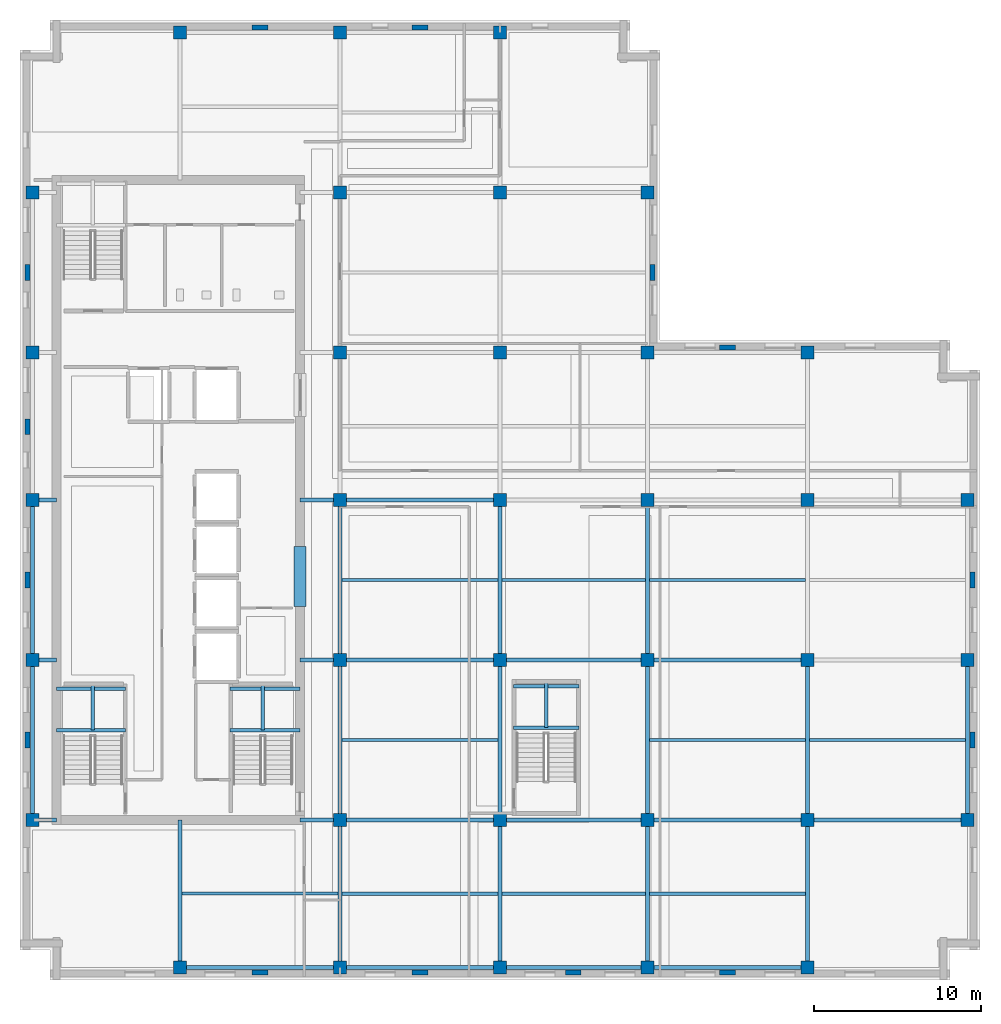
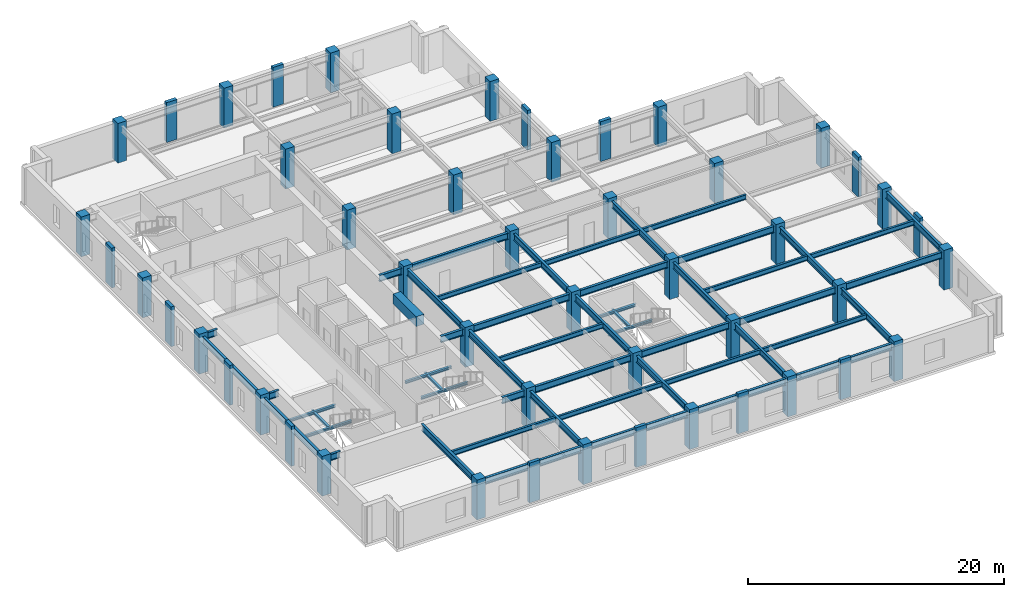
# One storey, part 1 of 11: 53 beams, 49 columns.
"""IFC4 building model written with IfcOpenShell, lengths in metres."""

from ifc_helpers import new_model, si_unit, direction, frame, origin, origin_2d, place, context, subcontext, project, spatial, rectangle, i_section, extrude, material, material_profile, profile_set, type_object, element, save


model = new_model("IFC4")

# Units and contexts
model_context = context("Model", 3, precision=1e-05, world=origin(), true_north=direction((0.0, 1.0)))
body_context = subcontext(model_context, "Body", "Model", "MODEL_VIEW")
ifc_project = project(units=[si_unit("LENGTHUNIT", "METRE"), si_unit("AREAUNIT", "SQUARE_METRE"), si_unit("VOLUMEUNIT", "CUBIC_METRE"), si_unit("PLANEANGLEUNIT", "RADIAN"), si_unit("MASSUNIT", "GRAM", prefix="KILO")], contexts=[model_context])

# Site, building, storey
site_placement = place(None, origin())
site = spatial("IfcSite", under=ifc_project, at=site_placement, CompositionType="ELEMENT")
building_placement = place(site_placement, origin())
building = spatial("IfcBuilding", under=site, at=building_placement, Name="Norrvale University Quadrangle", CompositionType="ELEMENT")
storey_placement = place(building_placement, frame((0.0, 0.0, 252.199951171875)))
storey = spatial("IfcBuildingStorey", under=building, at=storey_placement, Name="L64", CompositionType="ELEMENT", Elevation=252.199951171875)

# Columns
ifc_material_1 = material(Name="Red Manganese Brick Concrete C60/75", Category="concrete")
ifc_material_profile_1 = material_profile(ifc_material_1, rectangle(XDim=0.949951171875, YDim=0.300048828125, at=origin_2d()), Name="Red Manganese Brick Concrete C60/75")
ifc_profile_set_1 = profile_set([ifc_material_profile_1], Name="Red Manganese Brick Concrete C60/75")
column_type_1 = type_object("IfcColumnType", Name="Column Brick Pier 950x300", PredefinedType="PILASTER", material=ifc_profile_set_1)
for number, where, z_axis, x_axis, name in (
    (1, (0.449951171875, 14.39990234375, 0.0), (0.0, 0.0, 1.0), (0.0, 1.0, 0.0), "Exterior Brick Facade Pilaster L64-01"),
    (2, (0.449951171875, 24.0, 0.0), (0.0, 0.0, 1.0), (0.0, 1.0, 0.0), "Exterior Brick Facade Pilaster L64-02"),
    (3, (0.449951171875, 33.199951171875, 0.0), (0.0, 0.0, 1.0), (0.0, 1.0, 0.0), "Exterior Brick Facade Pilaster L64-03"),
    (4, (0.449951171875, 42.449951171875, 0.0), (0.0, 0.0, 1.0), (0.0, 1.0, 0.0), "Exterior Brick Facade Pilaster L64-04"),
    (5, (14.39990234375, 0.449951171875, 0.0), (0.0, 0.0, 1.0), (1.0, 0.0, 0.0), "Exterior Brick Facade Pilaster L64-05"),
    (6, (24.0, 0.449951171875, 0.0), (0.0, 0.0, 1.0), (1.0, 0.0, 0.0), "Exterior Brick Facade Pilaster L64-06"),
    (7, (33.199951171875, 0.449951171875, 0.0), (0.0, 0.0, 1.0), (1.0, 0.0, 0.0), "Exterior Brick Facade Pilaster L64-07"),
    (8, (42.449951171875, 0.449951171875, 0.0), (0.0, 0.0, 1.0), (1.0, 0.0, 0.0), "Exterior Brick Facade Pilaster L64-08"),
    (9, (57.14990234375, 14.39990234375, 0.0), (0.0, 0.0, 1.0), (0.0, 1.0, 0.0), "Exterior Brick Facade Pilaster L64-09"),
    (10, (57.14990234375, 24.0, 0.0), (0.0, 0.0, 1.0), (0.0, 1.0, 0.0), "Exterior Brick Facade Pilaster L64-10"),
    (11, (14.39990234375, 57.14990234375, 0.0), (0.0, 0.0, 1.0), (1.0, 0.0, 0.0), "Exterior Brick Facade Pilaster L64-11"),
    (12, (24.0, 57.14990234375, 0.0), (0.0, 0.0, 1.0), (1.0, 0.0, 0.0), "Exterior Brick Facade Pilaster L64-12"),
    (13, (37.949951171875, 42.449951171875, 0.0), (0.0, 0.0, 1.0), (0.0, 1.0, 0.0), "Exterior Brick Facade Pilaster L64-13"),
    (14, (42.449951171875, 37.949951171875, 0.0), (0.0, 0.0, 1.0), (1.0, 0.0, 0.0), "Exterior Brick Facade Pilaster L64-14"),
):
    element("IfcColumn", number, at=place(storey_placement, frame(where, z_axis=z_axis, x_axis=x_axis)), inside=storey, type_object=column_type_1, Name=name, PredefinedType="PILASTER", context=body_context, shape_type="SweptSolid", body=[
        extrude(rectangle(XDim=0.949951171875, YDim=0.300048828125, at=origin_2d()), origin(), (0.0, 0.0, 1.0), 3.800048828125),
    ])
ifc_material_2 = material(Name="Concrete C60/75", Category="concrete")
ifc_material_profile_2 = material_profile(ifc_material_2, rectangle(XDim=0.800048828125, YDim=0.800048828125, at=origin_2d()), Name="Concrete C60/75")
ifc_profile_set_2 = profile_set([ifc_material_profile_2], Name="Concrete C60/75")
column_type_2 = type_object("IfcColumnType", Name="Column Tower Z3 800x800", PredefinedType="COLUMN", material=ifc_profile_set_2)
for number, where, z_axis, x_axis, name in (
    (15, (0.75, 9.60009765625, 0.0), (0.0, 0.0, 1.0), (1.0, 0.0, 0.0), "Tower Column L64-T01"),
    (16, (0.75, 19.199951171875, 0.0), (0.0, 0.0, 1.0), (1.0, 0.0, 0.0), "Tower Column L64-T02"),
    (17, (0.75, 28.800048828125, 0.0), (0.0, 0.0, 1.0), (1.0, 0.0, 0.0), "Tower Column L64-T03"),
    (18, (0.75, 37.64990234375, 0.0), (0.0, 0.0, 1.0), (1.0, 0.0, 0.0), "Tower Column L64-T04"),
    (19, (0.75, 47.25, 0.0), (0.0, 0.0, 1.0), (1.0, 0.0, 0.0), "Tower Column L64-T05"),
    (20, (9.60009765625, 0.75, 0.0), (0.0, 0.0, 1.0), (1.0, 0.0, 0.0), "Tower Column L64-T06"),
    (21, (9.60009765625, 56.85009765625, 0.0), (0.0, 0.0, 1.0), (1.0, 0.0, 0.0), "Tower Column L64-T07"),
    (22, (19.199951171875, 0.75, 0.0), (0.0, 0.0, 1.0), (1.0, 0.0, 0.0), "Tower Column L64-T08"),
    (23, (19.199951171875, 9.60009765625, 0.0), (0.0, 0.0, 1.0), (1.0, 0.0, 0.0), "Tower Column L64-T09"),
    (24, (19.199951171875, 19.199951171875, 0.0), (0.0, 0.0, 1.0), (1.0, 0.0, 0.0), "Tower Column L64-T10"),
    (25, (19.199951171875, 28.800048828125, 0.0), (0.0, 0.0, 1.0), (1.0, 0.0, 0.0), "Tower Column L64-T11"),
    (26, (19.199951171875, 37.64990234375, 0.0), (0.0, 0.0, 1.0), (1.0, 0.0, 0.0), "Tower Column L64-T12"),
    (27, (19.199951171875, 47.25, 0.0), (0.0, 0.0, 1.0), (1.0, 0.0, 0.0), "Tower Column L64-T13"),
    (28, (19.199951171875, 56.85009765625, 0.0), (0.0, 0.0, 1.0), (1.0, 0.0, 0.0), "Tower Column L64-T14"),
    (29, (28.800048828125, 0.75, 0.0), (0.0, 0.0, 1.0), (1.0, 0.0, 0.0), "Tower Column L64-T15"),
    (30, (28.800048828125, 9.60009765625, 0.0), (0.0, 0.0, 1.0), (1.0, 0.0, 0.0), "Tower Column L64-T16"),
    (31, (28.800048828125, 19.199951171875, 0.0), (0.0, 0.0, 1.0), (1.0, 0.0, 0.0), "Tower Column L64-T17"),
    (32, (28.800048828125, 28.800048828125, 0.0), (0.0, 0.0, 1.0), (1.0, 0.0, 0.0), "Tower Column L64-T18"),
    (33, (28.800048828125, 37.64990234375, 0.0), (0.0, 0.0, 1.0), (1.0, 0.0, 0.0), "Tower Column L64-T19"),
    (34, (28.800048828125, 47.25, 0.0), (0.0, 0.0, 1.0), (1.0, 0.0, 0.0), "Tower Column L64-T20"),
    (35, (28.800048828125, 56.85009765625, 0.0), (0.0, 0.0, 1.0), (1.0, 0.0, 0.0), "Tower Column L64-T21"),
    (36, (37.64990234375, 0.75, 0.0), (0.0, 0.0, 1.0), (1.0, 0.0, 0.0), "Tower Column L64-T22"),
    (37, (37.64990234375, 9.60009765625, 0.0), (0.0, 0.0, 1.0), (1.0, 0.0, 0.0), "Tower Column L64-T23"),
    (38, (37.64990234375, 19.199951171875, 0.0), (0.0, 0.0, 1.0), (1.0, 0.0, 0.0), "Tower Column L64-T24"),
    (39, (37.64990234375, 28.800048828125, 0.0), (0.0, 0.0, 1.0), (1.0, 0.0, 0.0), "Tower Column L64-T25"),
    (40, (37.64990234375, 37.64990234375, 0.0), (0.0, 0.0, 1.0), (1.0, 0.0, 0.0), "Tower Column L64-T26"),
    (41, (37.64990234375, 47.25, 0.0), (0.0, 0.0, 1.0), (1.0, 0.0, 0.0), "Tower Column L64-T27"),
    (42, (47.25, 0.75, 0.0), (0.0, 0.0, 1.0), (1.0, 0.0, 0.0), "Tower Column L64-T28"),
    (43, (47.25, 9.60009765625, 0.0), (0.0, 0.0, 1.0), (1.0, 0.0, 0.0), "Tower Column L64-T29"),
    (44, (47.25, 19.199951171875, 0.0), (0.0, 0.0, 1.0), (1.0, 0.0, 0.0), "Tower Column L64-T30"),
    (45, (47.25, 28.800048828125, 0.0), (0.0, 0.0, 1.0), (1.0, 0.0, 0.0), "Tower Column L64-T31"),
    (46, (47.25, 37.64990234375, 0.0), (0.0, 0.0, 1.0), (1.0, 0.0, 0.0), "Tower Column L64-T32"),
    (47, (56.85009765625, 9.60009765625, 0.0), (0.0, 0.0, 1.0), (1.0, 0.0, 0.0), "Tower Column L64-T33"),
    (48, (56.85009765625, 19.199951171875, 0.0), (0.0, 0.0, 1.0), (1.0, 0.0, 0.0), "Tower Column L64-T34"),
    (49, (56.85009765625, 28.800048828125, 0.0), (0.0, 0.0, 1.0), (1.0, 0.0, 0.0), "Tower Column L64-T35"),
):
    element("IfcColumn", number, at=place(storey_placement, frame(where, z_axis=z_axis, x_axis=x_axis)), inside=storey, type_object=column_type_2, Name=name, PredefinedType="COLUMN", context=body_context, shape_type="SweptSolid", body=[
        extrude(rectangle(XDim=0.800048828125, YDim=0.800048828125, at=origin_2d()), origin(), (0.0, 0.0, 1.0), 3.800048828125),
    ])

# Beams
ifc_material_3 = material(Name="Concrete C80/95", Category="concrete")
ifc_material_profile_3 = material_profile(ifc_material_3, rectangle(XDim=0.699951171875, YDim=0.949951171875, at=origin_2d()), Name="Concrete C80/95")
ifc_profile_set_3 = profile_set([ifc_material_profile_3], Name="Concrete C80/95")
beam_type_1 = type_object("IfcBeamType", Name="Beam Core Link 700x950", PredefinedType="LINTEL", material=ifc_profile_set_3)
beam_1_placement = place(storey_placement, frame((16.800048828125, 22.39990234375, 3.005126953125), z_axis=(0.0, 1.0, 0.0), x_axis=(-1.0, 0.0, 0.0)))
element("IfcBeam", 50, at=beam_1_placement, inside=storey, type_object=beam_type_1, Name="Core Coupling Lintel Beam L64-1", PredefinedType="LINTEL", context=body_context, shape_type="SweptSolid", body=[
    extrude(rectangle(XDim=0.699951171875, YDim=0.949951171875, at=origin_2d()), origin(), (0.0, 0.0, 1.0), 3.60009765625),
])
ifc_material_4 = material(Name="Steel 350W", Category="steel")
ifc_material_profile_4 = material_profile(ifc_material_4, i_section(OverallWidth=0.18994140625, OverallDepth=0.45703125, WebThickness=0.009033203125, FlangeThickness=0.014404296875, FilletRadius=0.012939453125, at=origin_2d()), Name="Steel 350W")
ifc_profile_set_4 = profile_set([ifc_material_profile_4], Name="Steel 350W")
beam_type_2 = type_object("IfcBeamType", Name="Beam Floor W460x74", PredefinedType="JOIST", material=ifc_profile_set_4)
for number, where, z_axis, x_axis, name in (
    (51, (19.31494140625, 5.175048828125, 3.25146484375), (1.0, 0.0, 0.0), (0.0, 1.0, 0.0), "Beam Floor W460x74 BM-L64-J061"),
    (52, (19.31494140625, 14.39990234375, 3.25146484375), (1.0, 0.0, 0.0), (0.0, 1.0, 0.0), "Beam Floor W460x74 BM-L64-J062"),
    (53, (19.31494140625, 24.0, 3.25146484375), (1.0, 0.0, 0.0), (0.0, 1.0, 0.0), "Beam Floor W460x74 BM-L64-J063"),
):
    element("IfcBeam", number, at=place(storey_placement, frame(where, z_axis=z_axis, x_axis=x_axis)), inside=storey, type_object=beam_type_2, Name=name, PredefinedType="JOIST", context=body_context, shape_type="SweptSolid", body=[
        extrude(i_section(OverallWidth=0.18994140625, OverallDepth=0.45703125, WebThickness=0.009033203125, FlangeThickness=0.014404296875, FilletRadius=0.012939453125, at=origin_2d()), origin(), (0.0, 0.0, 1.0), 9.3701171875),
    ])
for number, where, z_axis, x_axis, name in (
    (54, (28.9150390625, 5.175048828125, 3.25146484375), (1.0, 0.0, 0.0), (0.0, 1.0, 0.0), "Beam Floor W460x74 BM-L64-J067"),
    (55, (28.9150390625, 24.0, 3.25146484375), (1.0, 0.0, 0.0), (0.0, 1.0, 0.0), "Beam Floor W460x74 BM-L64-J068"),
):
    element("IfcBeam", number, at=place(storey_placement, frame(where, z_axis=z_axis, x_axis=x_axis)), inside=storey, type_object=beam_type_2, Name=name, PredefinedType="JOIST", context=body_context, shape_type="SweptSolid", body=[
        extrude(i_section(OverallWidth=0.18994140625, OverallDepth=0.45703125, WebThickness=0.009033203125, FlangeThickness=0.014404296875, FilletRadius=0.012939453125, at=origin_2d()), origin(), (0.0, 0.0, 1.0), 8.619873046875),
    ])
for number, where, z_axis, x_axis, name in (
    (56, (37.764892578125, 5.175048828125, 3.25146484375), (1.0, 0.0, 0.0), (0.0, 1.0, 0.0), "Beam Floor W460x74 BM-L64-J071"),
    (57, (37.764892578125, 14.39990234375, 3.25146484375), (1.0, 0.0, 0.0), (0.0, 1.0, 0.0), "Beam Floor W460x74 BM-L64-J072"),
    (58, (37.764892578125, 24.0, 3.25146484375), (1.0, 0.0, 0.0), (0.0, 1.0, 0.0), "Beam Floor W460x74 BM-L64-J073"),
    (59, (47.364990234375, 14.39990234375, 3.25146484375), (1.0, 0.0, 0.0), (0.0, 1.0, 0.0), "Beam Floor W460x74 BM-L64-J075"),
):
    element("IfcBeam", number, at=place(storey_placement, frame(where, z_axis=z_axis, x_axis=x_axis)), inside=storey, type_object=beam_type_2, Name=name, PredefinedType="JOIST", context=body_context, shape_type="SweptSolid", body=[
        extrude(i_section(OverallWidth=0.18994140625, OverallDepth=0.45703125, WebThickness=0.009033203125, FlangeThickness=0.014404296875, FilletRadius=0.012939453125, at=origin_2d()), origin(), (0.0, 0.0, 1.0), 9.3701171875),
    ])
beam_2_placement = place(storey_placement, frame((9.715087890625, 5.199951171875, 3.25146484375), z_axis=(1.0, 0.0, 0.0), x_axis=(0.0, 1.0, 0.0)))
element("IfcBeam", 60, at=beam_2_placement, inside=storey, type_object=beam_type_2, Name="Beam Floor W460x74 BM-L64-JCS078", PredefinedType="JOIST", context=body_context, shape_type="SweptSolid", body=[
    extrude(i_section(OverallWidth=0.18994140625, OverallDepth=0.45703125, WebThickness=0.009033203125, FlangeThickness=0.014404296875, FilletRadius=0.012939453125, at=origin_2d()), origin(), (0.0, 0.0, 1.0), 9.369873046875),
])
ifc_material_profile_5 = material_profile(ifc_material_4, i_section(OverallWidth=0.22998046875, OverallDepth=0.616943359375, WebThickness=0.01318359375, FlangeThickness=0.022216796875, FilletRadius=0.01611328125, at=origin_2d()), Name="Steel 350W")
ifc_profile_set_5 = profile_set([ifc_material_profile_5], Name="Steel 350W")
beam_type_3 = type_object("IfcBeamType", Name="Beam Floor W610x140", PredefinedType="BEAM", material=ifc_profile_set_5)
beam_3_placement = place(storey_placement, frame((9.60009765625, 0.75, 3.171630859375), z_axis=(1.0, 0.0, 0.0), x_axis=(0.0, 1.0, 0.0)))
element("IfcBeam", 61, at=beam_3_placement, inside=storey, type_object=beam_type_3, Name="Beam Floor W610x140 BM-L64-GX001", PredefinedType="BEAM", context=body_context, shape_type="SweptSolid", body=[
    extrude(i_section(OverallWidth=0.22998046875, OverallDepth=0.616943359375, WebThickness=0.01318359375, FlangeThickness=0.022216796875, FilletRadius=0.01611328125, at=origin_2d()), origin(), (0.0, 0.0, 1.0), 9.599853515625),
])
beam_4_placement = place(storey_placement, frame((19.199951171875, 0.75, 3.171630859375), z_axis=(1.0, 0.0, 0.0), x_axis=(0.0, 1.0, 0.0)))
element("IfcBeam", 62, at=beam_4_placement, inside=storey, type_object=beam_type_3, Name="Beam Floor W610x140 BM-L64-GX002", PredefinedType="BEAM", context=body_context, shape_type="SweptSolid", body=[
    extrude(i_section(OverallWidth=0.22998046875, OverallDepth=0.616943359375, WebThickness=0.01318359375, FlangeThickness=0.022216796875, FilletRadius=0.01611328125, at=origin_2d()), origin(), (0.0, 0.0, 1.0), 9.60009765625),
])
beam_5_placement = place(storey_placement, frame((28.800048828125, 0.75, 3.171630859375), z_axis=(1.0, 0.0, 0.0), x_axis=(0.0, 1.0, 0.0)))
element("IfcBeam", 63, at=beam_5_placement, inside=storey, type_object=beam_type_3, Name="Beam Floor W610x140 BM-L64-GX003", PredefinedType="BEAM", context=body_context, shape_type="SweptSolid", body=[
    extrude(i_section(OverallWidth=0.22998046875, OverallDepth=0.616943359375, WebThickness=0.01318359375, FlangeThickness=0.022216796875, FilletRadius=0.01611328125, at=origin_2d()), origin(), (0.0, 0.0, 1.0), 8.849853515625),
])
for number, where, z_axis, x_axis, name in (
    (64, (37.64990234375, 0.75, 3.171630859375), (1.0, 0.0, 0.0), (0.0, 1.0, 0.0), "Beam Floor W610x140 BM-L64-GX004"),
    (65, (19.199951171875, 9.60009765625, 3.171630859375), (1.0, 0.0, 0.0), (0.0, 1.0, 0.0), "Beam Floor W610x140 BM-L64-GX005"),
):
    element("IfcBeam", number, at=place(storey_placement, frame(where, z_axis=z_axis, x_axis=x_axis)), inside=storey, type_object=beam_type_3, Name=name, PredefinedType="BEAM", context=body_context, shape_type="SweptSolid", body=[
        extrude(i_section(OverallWidth=0.22998046875, OverallDepth=0.616943359375, WebThickness=0.01318359375, FlangeThickness=0.022216796875, FilletRadius=0.01611328125, at=origin_2d()), origin(), (0.0, 0.0, 1.0), 9.60009765625),
    ])
beam_6_placement = place(storey_placement, frame((28.800048828125, 9.60009765625, 3.171630859375), z_axis=(1.0, 0.0, 0.0), x_axis=(0.0, 1.0, 0.0)))
element("IfcBeam", 66, at=beam_6_placement, inside=storey, type_object=beam_type_3, Name="Beam Floor W610x140 BM-L64-GX006", PredefinedType="BEAM", context=body_context, shape_type="SweptSolid", body=[
    extrude(i_section(OverallWidth=0.22998046875, OverallDepth=0.616943359375, WebThickness=0.01318359375, FlangeThickness=0.022216796875, FilletRadius=0.01611328125, at=origin_2d()), origin(), (0.0, 0.0, 1.0), 8.849853515625),
])
for number, where, z_axis, x_axis, name in (
    (67, (37.64990234375, 9.60009765625, 3.171630859375), (1.0, 0.0, 0.0), (0.0, 1.0, 0.0), "Beam Floor W610x140 BM-L64-GX007"),
    (68, (47.25, 9.60009765625, 3.171630859375), (1.0, 0.0, 0.0), (0.0, 1.0, 0.0), "Beam Floor W610x140 BM-L64-GX008"),
    (69, (19.199951171875, 19.199951171875, 3.171630859375), (1.0, 0.0, 0.0), (0.0, 1.0, 0.0), "Beam Floor W610x140 BM-L64-GX009"),
):
    element("IfcBeam", number, at=place(storey_placement, frame(where, z_axis=z_axis, x_axis=x_axis)), inside=storey, type_object=beam_type_3, Name=name, PredefinedType="BEAM", context=body_context, shape_type="SweptSolid", body=[
        extrude(i_section(OverallWidth=0.22998046875, OverallDepth=0.616943359375, WebThickness=0.01318359375, FlangeThickness=0.022216796875, FilletRadius=0.01611328125, at=origin_2d()), origin(), (0.0, 0.0, 1.0), 9.60009765625),
    ])
beam_7_placement = place(storey_placement, frame((28.800048828125, 19.199951171875, 3.171630859375), z_axis=(1.0, 0.0, 0.0), x_axis=(0.0, 1.0, 0.0)))
element("IfcBeam", 70, at=beam_7_placement, inside=storey, type_object=beam_type_3, Name="Beam Floor W610x140 BM-L64-GX010", PredefinedType="BEAM", context=body_context, shape_type="SweptSolid", body=[
    extrude(i_section(OverallWidth=0.22998046875, OverallDepth=0.616943359375, WebThickness=0.01318359375, FlangeThickness=0.022216796875, FilletRadius=0.01611328125, at=origin_2d()), origin(), (0.0, 0.0, 1.0), 8.849853515625),
])
for number, where, z_axis, x_axis, name in (
    (71, (37.64990234375, 19.199951171875, 3.171630859375), (1.0, 0.0, 0.0), (0.0, 1.0, 0.0), "Beam Floor W610x140 BM-L64-GX011"),
    (72, (19.199951171875, 28.800048828125, 3.171630859375), (1.0, 0.0, 0.0), (0.0, 1.0, 0.0), "Beam Floor W610x140 BM-L64-GX013"),
):
    element("IfcBeam", number, at=place(storey_placement, frame(where, z_axis=z_axis, x_axis=x_axis)), inside=storey, type_object=beam_type_3, Name=name, PredefinedType="BEAM", context=body_context, shape_type="SweptSolid", body=[
        extrude(i_section(OverallWidth=0.22998046875, OverallDepth=0.616943359375, WebThickness=0.01318359375, FlangeThickness=0.022216796875, FilletRadius=0.01611328125, at=origin_2d()), origin(), (0.0, 0.0, 1.0), 9.60009765625),
    ])
beam_8_placement = place(storey_placement, frame((0.75, 9.60009765625, 3.171630859375), z_axis=(0.0, 1.0, 0.0), x_axis=(-1.0, 0.0, 0.0)))
element("IfcBeam", 73, at=beam_8_placement, inside=storey, type_object=beam_type_3, Name="Beam Floor W610x140 BM-L64-GY024", PredefinedType="BEAM", context=body_context, shape_type="SweptSolid", body=[
    extrude(i_section(OverallWidth=0.22998046875, OverallDepth=0.616943359375, WebThickness=0.01318359375, FlangeThickness=0.022216796875, FilletRadius=0.01611328125, at=origin_2d()), origin(), (0.0, 0.0, 1.0), 9.599853515625),
])
beam_9_placement = place(storey_placement, frame((0.75, 19.199951171875, 3.171630859375), z_axis=(0.0, 1.0, 0.0), x_axis=(-1.0, 0.0, 0.0)))
element("IfcBeam", 74, at=beam_9_placement, inside=storey, type_object=beam_type_3, Name="Beam Floor W610x140 BM-L64-GY025", PredefinedType="BEAM", context=body_context, shape_type="SweptSolid", body=[
    extrude(i_section(OverallWidth=0.22998046875, OverallDepth=0.616943359375, WebThickness=0.01318359375, FlangeThickness=0.022216796875, FilletRadius=0.01611328125, at=origin_2d()), origin(), (0.0, 0.0, 1.0), 9.60009765625),
])
beam_10_placement = place(storey_placement, frame((19.199951171875, 0.75, 3.171630859375), z_axis=(0.0, 1.0, 0.0), x_axis=(-1.0, 0.0, 0.0)))
element("IfcBeam", 75, at=beam_10_placement, inside=storey, type_object=beam_type_3, Name="Beam Floor W610x140 BM-L64-GY028", PredefinedType="BEAM", context=body_context, shape_type="SweptSolid", body=[
    extrude(i_section(OverallWidth=0.22998046875, OverallDepth=0.616943359375, WebThickness=0.01318359375, FlangeThickness=0.022216796875, FilletRadius=0.01611328125, at=origin_2d()), origin(), (0.0, 0.0, 1.0), 8.85009765625),
])
beam_11_placement = place(storey_placement, frame((19.199951171875, 9.60009765625, 3.171630859375), z_axis=(0.0, 1.0, 0.0), x_axis=(-1.0, 0.0, 0.0)))
element("IfcBeam", 76, at=beam_11_placement, inside=storey, type_object=beam_type_3, Name="Beam Floor W610x140 BM-L64-GY029", PredefinedType="BEAM", context=body_context, shape_type="SweptSolid", body=[
    extrude(i_section(OverallWidth=0.22998046875, OverallDepth=0.616943359375, WebThickness=0.01318359375, FlangeThickness=0.022216796875, FilletRadius=0.01611328125, at=origin_2d()), origin(), (0.0, 0.0, 1.0), 9.599853515625),
])
beam_12_placement = place(storey_placement, frame((19.199951171875, 19.199951171875, 3.171630859375), z_axis=(0.0, 1.0, 0.0), x_axis=(-1.0, 0.0, 0.0)))
element("IfcBeam", 77, at=beam_12_placement, inside=storey, type_object=beam_type_3, Name="Beam Floor W610x140 BM-L64-GY030", PredefinedType="BEAM", context=body_context, shape_type="SweptSolid", body=[
    extrude(i_section(OverallWidth=0.22998046875, OverallDepth=0.616943359375, WebThickness=0.01318359375, FlangeThickness=0.022216796875, FilletRadius=0.01611328125, at=origin_2d()), origin(), (0.0, 0.0, 1.0), 9.60009765625),
])
beam_13_placement = place(storey_placement, frame((28.800048828125, 0.75, 3.171630859375), z_axis=(0.0, 1.0, 0.0), x_axis=(-1.0, 0.0, 0.0)))
element("IfcBeam", 78, at=beam_13_placement, inside=storey, type_object=beam_type_3, Name="Beam Floor W610x140 BM-L64-GY034", PredefinedType="BEAM", context=body_context, shape_type="SweptSolid", body=[
    extrude(i_section(OverallWidth=0.22998046875, OverallDepth=0.616943359375, WebThickness=0.01318359375, FlangeThickness=0.022216796875, FilletRadius=0.01611328125, at=origin_2d()), origin(), (0.0, 0.0, 1.0), 8.85009765625),
])
beam_14_placement = place(storey_placement, frame((28.800048828125, 9.60009765625, 3.171630859375), z_axis=(0.0, 1.0, 0.0), x_axis=(-1.0, 0.0, 0.0)))
element("IfcBeam", 79, at=beam_14_placement, inside=storey, type_object=beam_type_3, Name="Beam Floor W610x140 BM-L64-GY035", PredefinedType="BEAM", context=body_context, shape_type="SweptSolid", body=[
    extrude(i_section(OverallWidth=0.22998046875, OverallDepth=0.616943359375, WebThickness=0.01318359375, FlangeThickness=0.022216796875, FilletRadius=0.01611328125, at=origin_2d()), origin(), (0.0, 0.0, 1.0), 9.599853515625),
])
beam_15_placement = place(storey_placement, frame((28.800048828125, 19.199951171875, 3.171630859375), z_axis=(0.0, 1.0, 0.0), x_axis=(-1.0, 0.0, 0.0)))
element("IfcBeam", 80, at=beam_15_placement, inside=storey, type_object=beam_type_3, Name="Beam Floor W610x140 BM-L64-GY036", PredefinedType="BEAM", context=body_context, shape_type="SweptSolid", body=[
    extrude(i_section(OverallWidth=0.22998046875, OverallDepth=0.616943359375, WebThickness=0.01318359375, FlangeThickness=0.022216796875, FilletRadius=0.01611328125, at=origin_2d()), origin(), (0.0, 0.0, 1.0), 9.60009765625),
])
beam_16_placement = place(storey_placement, frame((37.64990234375, 0.75, 3.171630859375), z_axis=(0.0, 1.0, 0.0), x_axis=(-1.0, 0.0, 0.0)))
element("IfcBeam", 81, at=beam_16_placement, inside=storey, type_object=beam_type_3, Name="Beam Floor W610x140 BM-L64-GY040", PredefinedType="BEAM", context=body_context, shape_type="SweptSolid", body=[
    extrude(i_section(OverallWidth=0.22998046875, OverallDepth=0.616943359375, WebThickness=0.01318359375, FlangeThickness=0.022216796875, FilletRadius=0.01611328125, at=origin_2d()), origin(), (0.0, 0.0, 1.0), 8.85009765625),
])
beam_17_placement = place(storey_placement, frame((37.64990234375, 9.60009765625, 3.171630859375), z_axis=(0.0, 1.0, 0.0), x_axis=(-1.0, 0.0, 0.0)))
element("IfcBeam", 82, at=beam_17_placement, inside=storey, type_object=beam_type_3, Name="Beam Floor W610x140 BM-L64-GY041", PredefinedType="BEAM", context=body_context, shape_type="SweptSolid", body=[
    extrude(i_section(OverallWidth=0.22998046875, OverallDepth=0.616943359375, WebThickness=0.01318359375, FlangeThickness=0.022216796875, FilletRadius=0.01611328125, at=origin_2d()), origin(), (0.0, 0.0, 1.0), 9.599853515625),
])
beam_18_placement = place(storey_placement, frame((37.64990234375, 19.199951171875, 3.171630859375), z_axis=(0.0, 1.0, 0.0), x_axis=(-1.0, 0.0, 0.0)))
element("IfcBeam", 83, at=beam_18_placement, inside=storey, type_object=beam_type_3, Name="Beam Floor W610x140 BM-L64-GY042", PredefinedType="BEAM", context=body_context, shape_type="SweptSolid", body=[
    extrude(i_section(OverallWidth=0.22998046875, OverallDepth=0.616943359375, WebThickness=0.01318359375, FlangeThickness=0.022216796875, FilletRadius=0.01611328125, at=origin_2d()), origin(), (0.0, 0.0, 1.0), 9.60009765625),
])
beam_19_placement = place(storey_placement, frame((47.25, 0.75, 3.171630859375), z_axis=(0.0, 1.0, 0.0), x_axis=(-1.0, 0.0, 0.0)))
element("IfcBeam", 84, at=beam_19_placement, inside=storey, type_object=beam_type_3, Name="Beam Floor W610x140 BM-L64-GY045", PredefinedType="BEAM", context=body_context, shape_type="SweptSolid", body=[
    extrude(i_section(OverallWidth=0.22998046875, OverallDepth=0.616943359375, WebThickness=0.01318359375, FlangeThickness=0.022216796875, FilletRadius=0.01611328125, at=origin_2d()), origin(), (0.0, 0.0, 1.0), 8.85009765625),
])
for number, where, z_axis, x_axis, name in (
    (85, (47.25, 9.60009765625, 3.171630859375), (0.0, 1.0, 0.0), (-1.0, 0.0, 0.0), "Beam Floor W610x140 BM-L64-GY046"),
    (86, (56.85009765625, 9.60009765625, 3.171630859375), (0.0, 1.0, 0.0), (-1.0, 0.0, 0.0), "Beam Floor W610x140 BM-L64-GY049"),
):
    element("IfcBeam", number, at=place(storey_placement, frame(where, z_axis=z_axis, x_axis=x_axis)), inside=storey, type_object=beam_type_3, Name=name, PredefinedType="BEAM", context=body_context, shape_type="SweptSolid", body=[
        extrude(i_section(OverallWidth=0.22998046875, OverallDepth=0.616943359375, WebThickness=0.01318359375, FlangeThickness=0.022216796875, FilletRadius=0.01611328125, at=origin_2d()), origin(), (0.0, 0.0, 1.0), 9.599853515625),
    ])
beam_20_placement = place(storey_placement, frame((0.75, 9.60009765625, 3.171630859375), z_axis=(1.0, 0.0, 0.0), x_axis=(0.0, 1.0, 0.0)))
element("IfcBeam", 87, at=beam_20_placement, inside=storey, type_object=beam_type_3, Name="Beam Floor W610x140 BM-L64-GCW051", PredefinedType="BEAM", context=body_context, shape_type="SweptSolid", body=[
    extrude(i_section(OverallWidth=0.22998046875, OverallDepth=0.616943359375, WebThickness=0.01318359375, FlangeThickness=0.022216796875, FilletRadius=0.01611328125, at=origin_2d()), origin(), (0.0, 0.0, 1.0), 1.449951171875),
])
beam_21_placement = place(storey_placement, frame((16.800048828125, 9.60009765625, 3.171630859375), z_axis=(1.0, 0.0, 0.0), x_axis=(0.0, 1.0, 0.0)))
element("IfcBeam", 88, at=beam_21_placement, inside=storey, type_object=beam_type_3, Name="Beam Floor W610x140 BM-L64-GCE052", PredefinedType="BEAM", context=body_context, shape_type="SweptSolid", body=[
    extrude(i_section(OverallWidth=0.22998046875, OverallDepth=0.616943359375, WebThickness=0.01318359375, FlangeThickness=0.022216796875, FilletRadius=0.01611328125, at=origin_2d()), origin(), (0.0, 0.0, 1.0), 2.39990234375),
])
beam_22_placement = place(storey_placement, frame((0.75, 19.199951171875, 3.171630859375), z_axis=(1.0, 0.0, 0.0), x_axis=(0.0, 1.0, 0.0)))
element("IfcBeam", 89, at=beam_22_placement, inside=storey, type_object=beam_type_3, Name="Beam Floor W610x140 BM-L64-GCW053", PredefinedType="BEAM", context=body_context, shape_type="SweptSolid", body=[
    extrude(i_section(OverallWidth=0.22998046875, OverallDepth=0.616943359375, WebThickness=0.01318359375, FlangeThickness=0.022216796875, FilletRadius=0.01611328125, at=origin_2d()), origin(), (0.0, 0.0, 1.0), 1.449951171875),
])
beam_23_placement = place(storey_placement, frame((16.800048828125, 19.199951171875, 3.171630859375), z_axis=(1.0, 0.0, 0.0), x_axis=(0.0, 1.0, 0.0)))
element("IfcBeam", 90, at=beam_23_placement, inside=storey, type_object=beam_type_3, Name="Beam Floor W610x140 BM-L64-GCE054", PredefinedType="BEAM", context=body_context, shape_type="SweptSolid", body=[
    extrude(i_section(OverallWidth=0.22998046875, OverallDepth=0.616943359375, WebThickness=0.01318359375, FlangeThickness=0.022216796875, FilletRadius=0.01611328125, at=origin_2d()), origin(), (0.0, 0.0, 1.0), 2.39990234375),
])
beam_24_placement = place(storey_placement, frame((0.75, 28.800048828125, 3.171630859375), z_axis=(1.0, 0.0, 0.0), x_axis=(0.0, 1.0, 0.0)))
element("IfcBeam", 91, at=beam_24_placement, inside=storey, type_object=beam_type_3, Name="Beam Floor W610x140 BM-L64-GCW055", PredefinedType="BEAM", context=body_context, shape_type="SweptSolid", body=[
    extrude(i_section(OverallWidth=0.22998046875, OverallDepth=0.616943359375, WebThickness=0.01318359375, FlangeThickness=0.022216796875, FilletRadius=0.01611328125, at=origin_2d()), origin(), (0.0, 0.0, 1.0), 1.449951171875),
])
beam_25_placement = place(storey_placement, frame((16.800048828125, 28.800048828125, 3.171630859375), z_axis=(1.0, 0.0, 0.0), x_axis=(0.0, 1.0, 0.0)))
element("IfcBeam", 92, at=beam_25_placement, inside=storey, type_object=beam_type_3, Name="Beam Floor W610x140 BM-L64-GCE056", PredefinedType="BEAM", context=body_context, shape_type="SweptSolid", body=[
    extrude(i_section(OverallWidth=0.22998046875, OverallDepth=0.616943359375, WebThickness=0.01318359375, FlangeThickness=0.022216796875, FilletRadius=0.01611328125, at=origin_2d()), origin(), (0.0, 0.0, 1.0), 2.39990234375),
])
beam_26_placement = place(storey_placement, frame((9.60009765625, 0.75, 3.171630859375), z_axis=(0.0, 1.0, 0.0), x_axis=(-1.0, 0.0, 0.0)))
element("IfcBeam", 93, at=beam_26_placement, inside=storey, type_object=beam_type_3, Name="Beam Floor W610x140 BM-L64-GCS077", PredefinedType="BEAM", context=body_context, shape_type="SweptSolid", body=[
    extrude(i_section(OverallWidth=0.22998046875, OverallDepth=0.616943359375, WebThickness=0.01318359375, FlangeThickness=0.022216796875, FilletRadius=0.01611328125, at=origin_2d()), origin(), (0.0, 0.0, 1.0), 8.85009765625),
])
ifc_material_profile_6 = material_profile(ifc_material_4, i_section(OverallWidth=0.201904296875, OverallDepth=0.2470703125, WebThickness=0.00732421875, FlangeThickness=0.010986328125, FilletRadius=0.011962890625, at=origin_2d()), Name="Steel 350W")
ifc_profile_set_6 = profile_set([ifc_material_profile_6], Name="Steel 350W")
beam_type_4 = type_object("IfcBeamType", Name="Beam Stair W250x49", PredefinedType="BEAM", material=ifc_profile_set_6)
for number, where, z_axis, x_axis, name in (
    (94, (2.199951171875, 14.989990234375, 1.57666015625), (1.0, 0.0, 0.0), (0.0, 1.0, 0.0), "Stair Mid-Landing Front Beam ST-01 L64"),
    (95, (2.199951171875, 17.469970703125, 1.57666015625), (1.0, 0.0, 0.0), (0.0, 1.0, 0.0), "Stair Mid-Landing Rear Beam ST-01 L64"),
):
    element("IfcBeam", number, at=place(storey_placement, frame(where, z_axis=z_axis, x_axis=x_axis)), inside=storey, type_object=beam_type_4, Name=name, PredefinedType="BEAM", context=body_context, shape_type="SweptSolid", body=[
        extrude(i_section(OverallWidth=0.201904296875, OverallDepth=0.2470703125, WebThickness=0.00732421875, FlangeThickness=0.010986328125, FilletRadius=0.011962890625, at=origin_2d()), origin(), (0.0, 0.0, 1.0), 4.14013671875),
    ])
for number, where, z_axis, x_axis, name in (
    (96, (12.610107421875, 14.989990234375, 1.57666015625), (1.0, 0.0, 0.0), (0.0, 1.0, 0.0), "Stair Mid-Landing Front Beam ST-03 L64"),
    (97, (12.610107421875, 17.469970703125, 1.57666015625), (1.0, 0.0, 0.0), (0.0, 1.0, 0.0), "Stair Mid-Landing Rear Beam ST-03 L64"),
):
    element("IfcBeam", number, at=place(storey_placement, frame(where, z_axis=z_axis, x_axis=x_axis)), inside=storey, type_object=beam_type_4, Name=name, PredefinedType="BEAM", context=body_context, shape_type="SweptSolid", body=[
        extrude(i_section(OverallWidth=0.201904296875, OverallDepth=0.2470703125, WebThickness=0.00732421875, FlangeThickness=0.010986328125, FilletRadius=0.011962890625, at=origin_2d()), origin(), (0.0, 0.0, 1.0), 4.18994140625),
    ])
for number, where, z_axis, x_axis, name in (
    (98, (29.610107421875, 15.139892578125, 1.57666015625), (1.0, 0.0, 0.0), (0.0, 1.0, 0.0), "Stair Mid-Landing Front Beam ST-04 L64"),
    (99, (29.610107421875, 17.6201171875, 1.57666015625), (1.0, 0.0, 0.0), (0.0, 1.0, 0.0), "Stair Mid-Landing Rear Beam ST-04 L64"),
):
    element("IfcBeam", number, at=place(storey_placement, frame(where, z_axis=z_axis, x_axis=x_axis)), inside=storey, type_object=beam_type_4, Name=name, PredefinedType="BEAM", context=body_context, shape_type="SweptSolid", body=[
        extrude(i_section(OverallWidth=0.201904296875, OverallDepth=0.2470703125, WebThickness=0.00732421875, FlangeThickness=0.010986328125, FilletRadius=0.011962890625, at=origin_2d()), origin(), (0.0, 0.0, 1.0), 3.929931640625),
    ])
ifc_material_profile_7 = material_profile(ifc_material_4, i_section(OverallWidth=0.202880859375, OverallDepth=0.202880859375, WebThickness=0.007080078125, FlangeThickness=0.010986328125, FilletRadius=0.010009765625, at=origin_2d()), Name="Steel 350W")
ifc_profile_set_7 = profile_set([ifc_material_profile_7], Name="Steel 350W")
beam_type_5 = type_object("IfcBeamType", Name="Beam Trim W200x46", PredefinedType="BEAM", material=ifc_profile_set_7)
for number, where, z_axis, x_axis, name in (
    (100, (4.375, 14.989990234375, 1.5986328125), (0.0, 1.0, 0.0), (-1.0, 0.0, 0.0), "Stair Mid-Landing Cross Beam ST-01 L64"),
    (101, (14.574951171875, 14.989990234375, 1.5986328125), (0.0, 1.0, 0.0), (-1.0, 0.0, 0.0), "Stair Mid-Landing Cross Beam ST-03 L64"),
    (102, (31.574951171875, 15.139892578125, 1.5986328125), (0.0, 1.0, 0.0), (-1.0, 0.0, 0.0), "Stair Mid-Landing Cross Beam ST-04 L64"),
):
    element("IfcBeam", number, at=place(storey_placement, frame(where, z_axis=z_axis, x_axis=x_axis)), inside=storey, type_object=beam_type_5, Name=name, PredefinedType="BEAM", context=body_context, shape_type="SweptSolid", body=[
        extrude(i_section(OverallWidth=0.202880859375, OverallDepth=0.202880859375, WebThickness=0.007080078125, FlangeThickness=0.010986328125, FilletRadius=0.010009765625, at=origin_2d()), origin(), (0.0, 0.0, 1.0), 2.800048828125),
    ])

save(model, "model.ifc")
